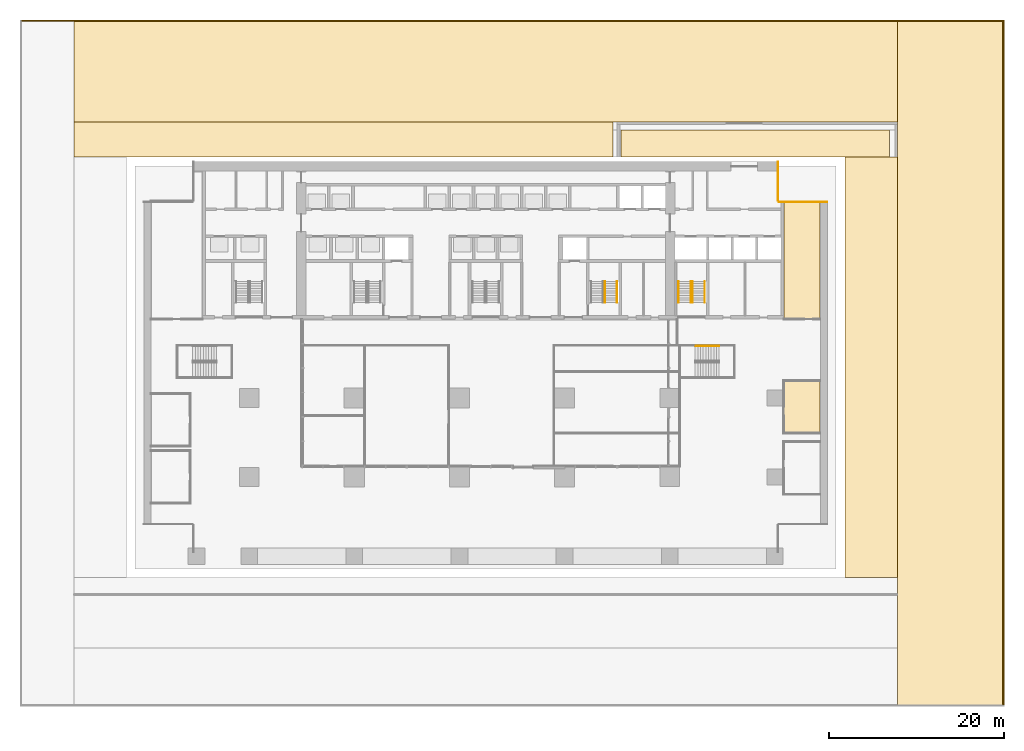
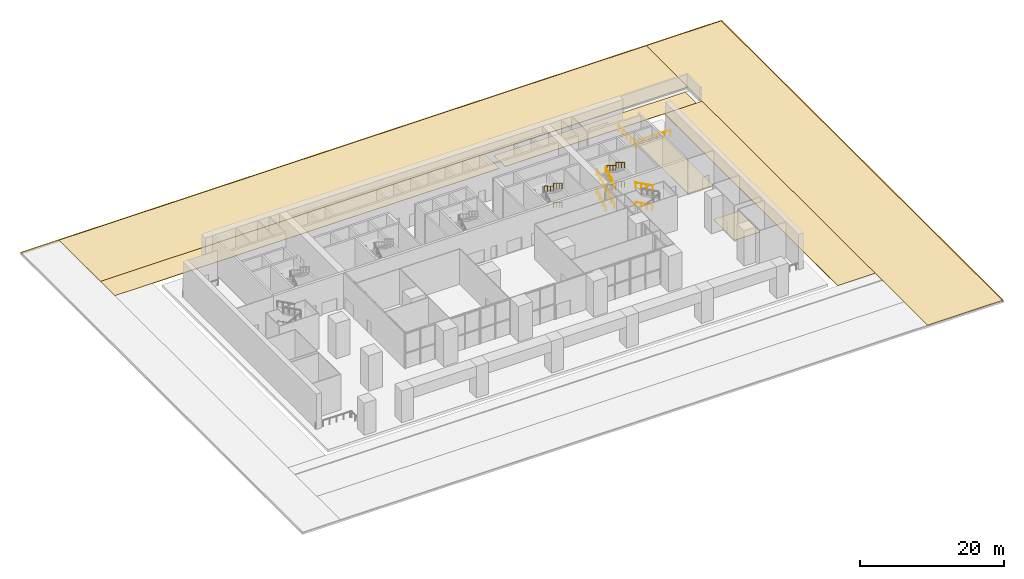
# One storey, part 15 of 16: 15 railings, 9 coverings, 3 elements without a shape of their own.
"""IFC4 building model written with IfcOpenShell, lengths in metres."""

from ifc_helpers import new_model, si_unit, direction, frame, origin, origin_2d, place, context, subcontext, project, spatial, polyline, circle, outline, extrude, material, layer, layer_set, type_object, element, aggregate, save


model = new_model("IFC4")

# Units and contexts
model_context = context("Model", 3, precision=1e-05, world=origin(), true_north=direction((0.0, 1.0)))
body_context = subcontext(model_context, "Body", "Model", "MODEL_VIEW")
ifc_project = project(units=[si_unit("LENGTHUNIT", "METRE"), si_unit("AREAUNIT", "SQUARE_METRE"), si_unit("VOLUMEUNIT", "CUBIC_METRE"), si_unit("PLANEANGLEUNIT", "RADIAN"), si_unit("MASSUNIT", "GRAM", prefix="KILO")], contexts=[model_context])

# Site, building, storey
site_placement = place(None, origin())
site = spatial("IfcSite", under=ifc_project, at=site_placement, CompositionType="ELEMENT")
building_placement = place(site_placement, origin())
building = spatial("IfcBuilding", under=site, at=building_placement, Name="Calvaro Tower", CompositionType="ELEMENT")
storey_placement = place(building_placement, origin())
storey = spatial("IfcBuildingStorey", under=building, at=storey_placement, Name="L00", CompositionType="ELEMENT", Elevation=0.0)

# Coverings
ifc_material_1 = material(Name="Concrete C40/50 precast", Category="concrete")
ifc_layer_1 = layer(ifc_material_1, 0.080078125)
ifc_layer_set_1 = layer_set([ifc_layer_1], Name="Concrete C40/50 precast")
covering_type_1 = type_object("IfcCoveringType", Name="Concrete block paving 80", PredefinedType="USERDEFINED", material=ifc_layer_set_1)
covering_1_placement = place(storey_placement, frame((0.0, 0.0, -0.080078125)))
element("IfcCovering", 1, at=covering_1_placement, inside=storey, type_object=covering_type_1, Name="Rear access paving", ObjectType="PAVING", PredefinedType="USERDEFINED", context=body_context, shape_type="SweptSolid", body=[
    extrude(outline(polyline([(-8.0, 46.5), (53.550048828125, 46.5), (53.550048828125, 50.5), (-8.0, 50.5), (-8.0, 46.5)])), origin(), (0.0, 0.0, 1.0), 0.080078125),
])
covering_2_placement = place(storey_placement, frame((0.0, 0.0, -0.080078125)))
element("IfcCovering", 2, at=covering_2_placement, inside=storey, type_object=covering_type_1, Name="Service yard paving", ObjectType="PAVING", PredefinedType="USERDEFINED", context=body_context, shape_type="SweptSolid", body=[
    extrude(outline(polyline([(54.449951171875, 46.5), (85.10009765625, 46.5), (85.10009765625, 49.60009765625), (54.449951171875, 49.60009765625), (54.449951171875, 46.5)])), origin(), (0.0, 0.0, 1.0), 0.080078125),
])
ifc_material_2 = material(Name="Cement screed with carpet tile finish")
ifc_layer_2 = layer(ifc_material_2, 0.050048828125)
ifc_layer_set_2 = layer_set([ifc_layer_2], Name="Cement screed with carpet tile finish")
covering_type_2 = type_object("IfcCoveringType", Name="Floor finish 50", PredefinedType="FLOORING", material=ifc_layer_set_2)
covering_3_placement = place(storey_placement, origin())
element("IfcCovering", 3, at=covering_3_placement, inside=storey, type_object=covering_type_2, Name="Floor finish 03.09", PredefinedType="FLOORING", context=body_context, shape_type="SweptSolid", body=[
    extrude(outline(polyline([(77.1298828125, 15.070068359375), (73.070068359375, 15.070068359375), (73.070068359375, 20.929931640625), (77.1298828125, 20.929931640625), (77.1298828125, 15.070068359375)])), origin(), (0.0, 0.0, 1.0), 0.050048828125),
])
covering_4_placement = place(storey_placement, origin())
element("IfcCovering", 4, at=covering_4_placement, inside=storey, type_object=covering_type_2, Name="Floor finish 03.16", PredefinedType="FLOORING", context=body_context, shape_type="SweptSolid", body=[
    extrude(outline(polyline([(73.070068359375, 28.070068359375), (73.070068359375, 41.429931640625), (77.1298828125, 41.429931640625), (77.1298828125, 28.070068359375), (73.070068359375, 28.070068359375)])), origin(), (0.0, 0.0, 1.0), 0.050048828125),
])
ifc_material_3 = material(Name="Granite", Category="masonry")
ifc_layer_3 = layer(ifc_material_3, 0.300048828125)
ifc_layer_set_3 = layer_set([ifc_layer_3], Name="Granite")
covering_type_3 = type_object("IfcCoveringType", Name="Granite edge course 150", PredefinedType="USERDEFINED", material=ifc_layer_set_3)
covering_5_placement = place(storey_placement, frame((0.0, 0.0, -0.300048828125)))
element("IfcCovering", 5, at=covering_5_placement, inside=storey, type_object=covering_type_3, Name="Granite edge course", ObjectType="PAVING", PredefinedType="USERDEFINED", context=body_context, shape_type="SweptSolid", body=[
    extrude(outline(polyline([(98.0, -16.0), (98.14990234375, -16.0), (98.14990234375, 62.14990234375), (98.0, 62.14990234375), (98.0, -16.0)])), origin(), (0.0, 0.0, 1.0), 0.300048828125),
])
covering_6_placement = place(storey_placement, frame((0.0, 0.0, -0.300048828125)))
element("IfcCovering", 6, at=covering_6_placement, inside=storey, type_object=covering_type_3, Name="Granite edge course", ObjectType="PAVING", PredefinedType="USERDEFINED", context=body_context, shape_type="SweptSolid", body=[
    extrude(outline(polyline([(-14.0, 62.0), (98.0, 62.0), (98.0, 62.14990234375), (-14.0, 62.14990234375), (-14.0, 62.0)])), origin(), (0.0, 0.0, 1.0), 0.300048828125),
])

# Railings
ifc_material_4 = material(Name="Stainless steel", Category="steel")
railing_type_1 = type_object("IfcRailingType", Name="Guard 1100", PredefinedType="GUARDRAIL", material=ifc_material_4)
railing_1_placement = place(storey_placement, frame((72.35009765625, 46.0, 0.0)))
element("IfcRailing", 7, at=railing_1_placement, inside=storey, type_object=railing_type_1, Name="Edge guard", PredefinedType="GUARDRAIL", context=body_context, shape_type="SweptSolid", body=[
    extrude(circle(Radius=0.02392578125, at=origin_2d()), frame((0.0, 0.0, 1.076171875), z_axis=(0.0, -1.0, 0.0), x_axis=(1.0, 0.0, 0.0)), (0.0, 0.0, 1.0), 4.5),
    extrude(circle(Radius=0.02099609375, at=origin_2d()), frame((0.0, -0.02099609375, 0.0)), (0.0, 0.0, 1.0), 1.052001953125),
    extrude(circle(Radius=0.02099609375, at=origin_2d()), frame((0.0, -1.125, 0.0)), (0.0, 0.0, 1.0), 1.052001953125),
    extrude(circle(Radius=0.02099609375, at=origin_2d()), frame((0.0, -2.25, 0.0)), (0.0, 0.0, 1.0), 1.052001953125),
    extrude(circle(Radius=0.02099609375, at=origin_2d()), frame((0.0, -3.375, 0.0)), (0.0, 0.0, 1.0), 1.052001953125),
    extrude(circle(Radius=0.02099609375, at=origin_2d()), frame((0.0, -4.47900390625, 0.0)), (0.0, 0.0, 1.0), 1.052001953125),
])
railing_2_placement = place(storey_placement, frame((72.449951171875, 41.39990234375, 0.0)))
element("IfcRailing", 8, at=railing_2_placement, inside=storey, type_object=railing_type_1, Name="Edge guard", PredefinedType="GUARDRAIL", context=body_context, shape_type="SweptSolid", body=[
    extrude(circle(Radius=0.02392578125, at=origin_2d()), frame((0.0, 0.0, 1.076171875), z_axis=(1.0, 0.0, 0.0), x_axis=(0.0, 1.0, 0.0)), (0.0, 0.0, 1.0), 5.550048828125),
    extrude(circle(Radius=0.02099609375, at=origin_2d()), frame((0.02099609375, 0.0, 0.0)), (0.0, 0.0, 1.0), 1.052001953125),
    extrude(circle(Radius=0.02099609375, at=origin_2d()), frame((1.110107421875, 0.0, 0.0)), (0.0, 0.0, 1.0), 1.052001953125),
    extrude(circle(Radius=0.02099609375, at=origin_2d()), frame((2.219970703125, 0.0, 0.0)), (0.0, 0.0, 1.0), 1.052001953125),
    extrude(circle(Radius=0.02099609375, at=origin_2d()), frame((3.330078125, 0.0, 0.0)), (0.0, 0.0, 1.0), 1.052001953125),
    extrude(circle(Radius=0.02099609375, at=origin_2d()), frame((4.43994140625, 0.0, 0.0)), (0.0, 0.0, 1.0), 1.052001953125),
    extrude(circle(Radius=0.02099609375, at=origin_2d()), frame((5.529052734375, 0.0, 0.0)), (0.0, 0.0, 1.0), 1.052001953125),
])

# Coverings
ifc_material_5 = material(Name="Concrete C40/50 precast", Category="concrete")
ifc_layer_4 = layer(ifc_material_5, 0.10009765625)
ifc_layer_set_4 = layer_set([ifc_layer_4], Name="Concrete C40/50 precast")
covering_type_4 = type_object("IfcCoveringType", Name="Precast concrete flag paving 100", PredefinedType="USERDEFINED", material=ifc_layer_set_4)
covering_7_placement = place(storey_placement, frame((0.0, 0.0, -0.10009765625)))
element("IfcCovering", 9, at=covering_7_placement, inside=storey, type_object=covering_type_4, Name="East lane paving", ObjectType="PAVING", PredefinedType="USERDEFINED", context=body_context, shape_type="SweptSolid", body=[
    extrude(outline(polyline([(80.0, -1.5), (86.0, -1.5), (86.0, 46.5), (80.0, 46.5), (80.0, -1.5)])), origin(), (0.0, 0.0, 1.0), 0.10009765625),
])
covering_8_placement = place(storey_placement, frame((0.0, 0.0, -0.10009765625)))
element("IfcCovering", 10, at=covering_8_placement, inside=storey, type_object=covering_type_4, Name="East apron paving", ObjectType="PAVING", PredefinedType="USERDEFINED", context=body_context, shape_type="SweptSolid", body=[
    extrude(outline(polyline([(86.0, -16.0), (98.0, -16.0), (98.0, 62.0), (86.0, 62.0), (86.0, -16.0)])), origin(), (0.0, 0.0, 1.0), 0.10009765625),
])
covering_9_placement = place(storey_placement, frame((0.0, 0.0, -0.10009765625)))
element("IfcCovering", 11, at=covering_9_placement, inside=storey, type_object=covering_type_4, Name="Rear apron paving", ObjectType="PAVING", PredefinedType="USERDEFINED", context=body_context, shape_type="SweptSolid", body=[
    extrude(outline(polyline([(-8.0, 50.5), (86.0, 50.5), (86.0, 62.0), (-8.0, 62.0), (-8.0, 50.5)])), origin(), (0.0, 0.0, 1.0), 0.10009765625),
])

# Stair, railings
ifc_material_6 = material(Name="Concrete C40/50", Category="concrete")
stair_type_1 = type_object("IfcStairType", Name="Exit stair 1400 4 flights", PredefinedType="DOUBLE_RETURN_STAIR", material=ifc_material_6)
stair_1_placement = place(storey_placement, origin())
stair_1 = element("IfcStair", 12, at=stair_1_placement, inside=storey, type_object=stair_type_1, Name="Exit stair S4", PredefinedType="DOUBLE_RETURN_STAIR")
ifc_material_7 = material(Name="Stainless steel", Category="steel")
railing_type_2 = type_object("IfcRailingType", Name="Stair handrail", PredefinedType="HANDRAIL", material=ifc_material_7)
railing_3_placement = place(storey_placement, frame((54.0, 32.330078125, 1.78759765625)))
railing_3 = element("IfcRailing", 13, at=railing_3_placement, type_object=railing_type_2, Name="Exit stair 4 handrail", PredefinedType="HANDRAIL", context=body_context, shape_type="SweptSolid", body=[
    extrude(circle(Radius=0.02392578125, at=origin_2d()), frame((0.0, 0.0, 0.8759765625), z_axis=(0.0, -0.856823829133, 0.515609276322), x_axis=(1.0, 0.0, 0.0)), (0.0, 0.0, 1.0), 2.836181640625),
    extrude(circle(Radius=0.02099609375, at=origin_2d()), frame((0.0, -0.01806640625, 0.0107421875)), (0.0, 0.0, 1.0), 0.851806640625),
    extrude(circle(Radius=0.02099609375, at=origin_2d()), frame((0.0, -0.81005859375, 0.487548828125)), (0.0, 0.0, 1.0), 0.851806640625),
    extrude(circle(Radius=0.02099609375, at=origin_2d()), frame((0.0, -1.6201171875, 0.974853515625)), (0.0, 0.0, 1.0), 0.851806640625),
    extrude(circle(Radius=0.02099609375, at=origin_2d()), frame((0.0, -2.412109375, 1.45166015625)), (0.0, 0.0, 1.0), 0.851806640625),
])
railing_4_placement = place(storey_placement, frame((52.60009765625, 32.330078125, 5.03759765625)))
railing_4 = element("IfcRailing", 14, at=railing_4_placement, type_object=railing_type_2, Name="Exit stair 4 handrail", PredefinedType="HANDRAIL", context=body_context, shape_type="SweptSolid", body=[
    extrude(circle(Radius=0.02392578125, at=origin_2d()), frame((0.0, 0.0, 0.8759765625), z_axis=(0.0, -0.856823829133, 0.515609276322), x_axis=(1.0, 0.0, 0.0)), (0.0, 0.0, 1.0), 2.836181640625),
    extrude(circle(Radius=0.02099609375, at=origin_2d()), frame((0.0, -0.01806640625, 0.0107421875)), (0.0, 0.0, 1.0), 0.851806640625),
    extrude(circle(Radius=0.02099609375, at=origin_2d()), frame((0.0, -0.81005859375, 0.487548828125)), (0.0, 0.0, 1.0), 0.851806640625),
    extrude(circle(Radius=0.02099609375, at=origin_2d()), frame((0.0, -1.6201171875, 0.974853515625)), (0.0, 0.0, 1.0), 0.851806640625),
    extrude(circle(Radius=0.02099609375, at=origin_2d()), frame((0.0, -2.412109375, 1.45166015625)), (0.0, 0.0, 1.0), 0.851806640625),
])
railing_5_placement = place(storey_placement, frame((54.0, 32.330078125, 5.03759765625)))
railing_5 = element("IfcRailing", 15, at=railing_5_placement, type_object=railing_type_2, Name="Exit stair 4 handrail", PredefinedType="HANDRAIL", context=body_context, shape_type="SweptSolid", body=[
    extrude(circle(Radius=0.02392578125, at=origin_2d()), frame((0.0, 0.0, 0.8759765625), z_axis=(0.0, -0.856823829133, 0.515609276322), x_axis=(1.0, 0.0, 0.0)), (0.0, 0.0, 1.0), 2.836181640625),
    extrude(circle(Radius=0.02099609375, at=origin_2d()), frame((0.0, -0.01806640625, 0.0107421875)), (0.0, 0.0, 1.0), 0.851806640625),
    extrude(circle(Radius=0.02099609375, at=origin_2d()), frame((0.0, -0.81005859375, 0.487548828125)), (0.0, 0.0, 1.0), 0.851806640625),
    extrude(circle(Radius=0.02099609375, at=origin_2d()), frame((0.0, -1.6201171875, 0.974853515625)), (0.0, 0.0, 1.0), 0.851806640625),
    extrude(circle(Radius=0.02099609375, at=origin_2d()), frame((0.0, -2.412109375, 1.45166015625)), (0.0, 0.0, 1.0), 0.851806640625),
])
aggregate(stair_1, [railing_3, railing_4, railing_5])

stair_2_placement = place(storey_placement, origin())
stair_2 = element("IfcStair", 16, at=stair_2_placement, inside=storey, type_object=stair_type_1, Name="Exit stair S5", PredefinedType="DOUBLE_RETURN_STAIR")
railing_6_placement = place(storey_placement, frame((62.39990234375, 29.89990234375, 0.16259765625)))
railing_6 = element("IfcRailing", 17, at=railing_6_placement, type_object=railing_type_2, Name="Exit stair 5 handrail", PredefinedType="HANDRAIL", context=body_context, shape_type="SweptSolid", body=[
    extrude(circle(Radius=0.02392578125, at=origin_2d()), frame((0.0, 0.0, 0.8759765625), z_axis=(0.0, 0.856823829133, 0.515609276322), x_axis=(-1.0, 0.0, 0.0)), (0.0, 0.0, 1.0), 2.836181640625),
    extrude(circle(Radius=0.02099609375, at=origin_2d()), frame((0.0, 0.01806640625, 0.0107421875)), (0.0, 0.0, 1.0), 0.851806640625),
    extrude(circle(Radius=0.02099609375, at=origin_2d()), frame((0.0, 0.81005859375, 0.487548828125)), (0.0, 0.0, 1.0), 0.851806640625),
    extrude(circle(Radius=0.02099609375, at=origin_2d()), frame((0.0, 1.6201171875, 0.974853515625)), (0.0, 0.0, 1.0), 0.851806640625),
    extrude(circle(Radius=0.02099609375, at=origin_2d()), frame((0.0, 2.412109375, 1.45166015625)), (0.0, 0.0, 1.0), 0.851806640625),
])
railing_7_placement = place(storey_placement, frame((61.0, 29.89990234375, 0.16259765625)))
railing_7 = element("IfcRailing", 18, at=railing_7_placement, type_object=railing_type_2, Name="Exit stair 5 handrail", PredefinedType="HANDRAIL", context=body_context, shape_type="SweptSolid", body=[
    extrude(circle(Radius=0.02392578125, at=origin_2d()), frame((0.0, 0.0, 0.8759765625), z_axis=(0.0, 0.856823829133, 0.515609276322), x_axis=(-1.0, 0.0, 0.0)), (0.0, 0.0, 1.0), 2.836181640625),
    extrude(circle(Radius=0.02099609375, at=origin_2d()), frame((0.0, 0.01806640625, 0.0107421875)), (0.0, 0.0, 1.0), 0.851806640625),
    extrude(circle(Radius=0.02099609375, at=origin_2d()), frame((0.0, 0.81005859375, 0.487548828125)), (0.0, 0.0, 1.0), 0.851806640625),
    extrude(circle(Radius=0.02099609375, at=origin_2d()), frame((0.0, 1.6201171875, 0.974853515625)), (0.0, 0.0, 1.0), 0.851806640625),
    extrude(circle(Radius=0.02099609375, at=origin_2d()), frame((0.0, 2.412109375, 1.45166015625)), (0.0, 0.0, 1.0), 0.851806640625),
])
railing_8_placement = place(storey_placement, frame((62.60009765625, 32.330078125, 1.78759765625)))
railing_8 = element("IfcRailing", 19, at=railing_8_placement, type_object=railing_type_2, Name="Exit stair 5 handrail", PredefinedType="HANDRAIL", context=body_context, shape_type="SweptSolid", body=[
    extrude(circle(Radius=0.02392578125, at=origin_2d()), frame((0.0, 0.0, 0.8759765625), z_axis=(0.0, -0.856823829133, 0.515609276322), x_axis=(1.0, 0.0, 0.0)), (0.0, 0.0, 1.0), 2.836181640625),
    extrude(circle(Radius=0.02099609375, at=origin_2d()), frame((0.0, -0.01806640625, 0.0107421875)), (0.0, 0.0, 1.0), 0.851806640625),
    extrude(circle(Radius=0.02099609375, at=origin_2d()), frame((0.0, -0.81005859375, 0.487548828125)), (0.0, 0.0, 1.0), 0.851806640625),
    extrude(circle(Radius=0.02099609375, at=origin_2d()), frame((0.0, -1.6201171875, 0.974853515625)), (0.0, 0.0, 1.0), 0.851806640625),
    extrude(circle(Radius=0.02099609375, at=origin_2d()), frame((0.0, -2.412109375, 1.45166015625)), (0.0, 0.0, 1.0), 0.851806640625),
])
railing_9_placement = place(storey_placement, frame((64.0, 32.330078125, 1.78759765625)))
railing_9 = element("IfcRailing", 20, at=railing_9_placement, type_object=railing_type_2, Name="Exit stair 5 handrail", PredefinedType="HANDRAIL", context=body_context, shape_type="SweptSolid", body=[
    extrude(circle(Radius=0.02392578125, at=origin_2d()), frame((0.0, 0.0, 0.8759765625), z_axis=(0.0, -0.856823829133, 0.515609276322), x_axis=(1.0, 0.0, 0.0)), (0.0, 0.0, 1.0), 2.836181640625),
    extrude(circle(Radius=0.02099609375, at=origin_2d()), frame((0.0, -0.01806640625, 0.0107421875)), (0.0, 0.0, 1.0), 0.851806640625),
    extrude(circle(Radius=0.02099609375, at=origin_2d()), frame((0.0, -0.81005859375, 0.487548828125)), (0.0, 0.0, 1.0), 0.851806640625),
    extrude(circle(Radius=0.02099609375, at=origin_2d()), frame((0.0, -1.6201171875, 0.974853515625)), (0.0, 0.0, 1.0), 0.851806640625),
    extrude(circle(Radius=0.02099609375, at=origin_2d()), frame((0.0, -2.412109375, 1.45166015625)), (0.0, 0.0, 1.0), 0.851806640625),
])
railing_10_placement = place(storey_placement, frame((62.39990234375, 29.89990234375, 3.41259765625)))
railing_10 = element("IfcRailing", 21, at=railing_10_placement, type_object=railing_type_2, Name="Exit stair 5 handrail", PredefinedType="HANDRAIL", context=body_context, shape_type="SweptSolid", body=[
    extrude(circle(Radius=0.02392578125, at=origin_2d()), frame((0.0, 0.0, 0.8759765625), z_axis=(0.0, 0.856823829133, 0.515609276322), x_axis=(-1.0, 0.0, 0.0)), (0.0, 0.0, 1.0), 2.836181640625),
    extrude(circle(Radius=0.02099609375, at=origin_2d()), frame((0.0, 0.01806640625, 0.0107421875)), (0.0, 0.0, 1.0), 0.851806640625),
    extrude(circle(Radius=0.02099609375, at=origin_2d()), frame((0.0, 0.81005859375, 0.487548828125)), (0.0, 0.0, 1.0), 0.851806640625),
    extrude(circle(Radius=0.02099609375, at=origin_2d()), frame((0.0, 1.6201171875, 0.974853515625)), (0.0, 0.0, 1.0), 0.851806640625),
    extrude(circle(Radius=0.02099609375, at=origin_2d()), frame((0.0, 2.412109375, 1.45166015625)), (0.0, 0.0, 1.0), 0.851806640625),
])
railing_11_placement = place(storey_placement, frame((61.0, 29.89990234375, 3.41259765625)))
railing_11 = element("IfcRailing", 22, at=railing_11_placement, type_object=railing_type_2, Name="Exit stair 5 handrail", PredefinedType="HANDRAIL", context=body_context, shape_type="SweptSolid", body=[
    extrude(circle(Radius=0.02392578125, at=origin_2d()), frame((0.0, 0.0, 0.8759765625), z_axis=(0.0, 0.856823829133, 0.515609276322), x_axis=(-1.0, 0.0, 0.0)), (0.0, 0.0, 1.0), 2.836181640625),
    extrude(circle(Radius=0.02099609375, at=origin_2d()), frame((0.0, 0.01806640625, 0.0107421875)), (0.0, 0.0, 1.0), 0.851806640625),
    extrude(circle(Radius=0.02099609375, at=origin_2d()), frame((0.0, 0.81005859375, 0.487548828125)), (0.0, 0.0, 1.0), 0.851806640625),
    extrude(circle(Radius=0.02099609375, at=origin_2d()), frame((0.0, 1.6201171875, 0.974853515625)), (0.0, 0.0, 1.0), 0.851806640625),
    extrude(circle(Radius=0.02099609375, at=origin_2d()), frame((0.0, 2.412109375, 1.45166015625)), (0.0, 0.0, 1.0), 0.851806640625),
])
railing_12_placement = place(storey_placement, frame((62.60009765625, 32.330078125, 5.03759765625)))
railing_12 = element("IfcRailing", 23, at=railing_12_placement, type_object=railing_type_2, Name="Exit stair 5 handrail", PredefinedType="HANDRAIL", context=body_context, shape_type="SweptSolid", body=[
    extrude(circle(Radius=0.02392578125, at=origin_2d()), frame((0.0, 0.0, 0.8759765625), z_axis=(0.0, -0.856823829133, 0.515609276322), x_axis=(1.0, 0.0, 0.0)), (0.0, 0.0, 1.0), 2.836181640625),
    extrude(circle(Radius=0.02099609375, at=origin_2d()), frame((0.0, -0.01806640625, 0.0107421875)), (0.0, 0.0, 1.0), 0.851806640625),
    extrude(circle(Radius=0.02099609375, at=origin_2d()), frame((0.0, -0.81005859375, 0.487548828125)), (0.0, 0.0, 1.0), 0.851806640625),
    extrude(circle(Radius=0.02099609375, at=origin_2d()), frame((0.0, -1.6201171875, 0.974853515625)), (0.0, 0.0, 1.0), 0.851806640625),
    extrude(circle(Radius=0.02099609375, at=origin_2d()), frame((0.0, -2.412109375, 1.45166015625)), (0.0, 0.0, 1.0), 0.851806640625),
])
railing_13_placement = place(storey_placement, frame((64.0, 32.330078125, 5.03759765625)))
railing_13 = element("IfcRailing", 24, at=railing_13_placement, type_object=railing_type_2, Name="Exit stair 5 handrail", PredefinedType="HANDRAIL", context=body_context, shape_type="SweptSolid", body=[
    extrude(circle(Radius=0.02392578125, at=origin_2d()), frame((0.0, 0.0, 0.8759765625), z_axis=(0.0, -0.856823829133, 0.515609276322), x_axis=(1.0, 0.0, 0.0)), (0.0, 0.0, 1.0), 2.836181640625),
    extrude(circle(Radius=0.02099609375, at=origin_2d()), frame((0.0, -0.01806640625, 0.0107421875)), (0.0, 0.0, 1.0), 0.851806640625),
    extrude(circle(Radius=0.02099609375, at=origin_2d()), frame((0.0, -0.81005859375, 0.487548828125)), (0.0, 0.0, 1.0), 0.851806640625),
    extrude(circle(Radius=0.02099609375, at=origin_2d()), frame((0.0, -1.6201171875, 0.974853515625)), (0.0, 0.0, 1.0), 0.851806640625),
    extrude(circle(Radius=0.02099609375, at=origin_2d()), frame((0.0, -2.412109375, 1.45166015625)), (0.0, 0.0, 1.0), 0.851806640625),
])
aggregate(stair_2, [railing_6, railing_7, railing_8, railing_9, railing_10, railing_11, railing_12, railing_13])

ifc_material_8 = material(Name="Concrete C40/50", Category="concrete")
stair_type_2 = type_object("IfcStairType", Name="Exit stair 1700 4 flights", PredefinedType="DOUBLE_RETURN_STAIR", material=ifc_material_8)
stair_3_placement = place(storey_placement, origin())
stair_3 = element("IfcStair", 25, at=stair_3_placement, inside=storey, type_object=stair_type_2, Name="Exit stair 7", PredefinedType="DOUBLE_RETURN_STAIR")
railing_14_placement = place(storey_placement, frame((65.64501953125, 24.949951171875, 1.78759765625)))
railing_14 = element("IfcRailing", 26, at=railing_14_placement, type_object=railing_type_2, Name="Exit stair 7 handrail", PredefinedType="HANDRAIL", context=body_context, shape_type="SweptSolid", body=[
    extrude(circle(Radius=0.02392578125, at=origin_2d()), frame((0.0, 0.0, 0.8759765625), z_axis=(-0.882574470411, 0.0, 0.470172632316), x_axis=(0.0, -1.0, 0.0)), (0.0, 0.0, 1.0), 3.1103515625),
    extrude(circle(Radius=0.02099609375, at=origin_2d()), frame((-0.0185546875, 0.0, 0.009765625)), (0.0, 0.0, 1.0), 0.851806640625),
    extrude(circle(Radius=0.02099609375, at=origin_2d()), frame((-0.9150390625, 0.0, 0.487548828125)), (0.0, 0.0, 1.0), 0.851806640625),
    extrude(circle(Radius=0.02099609375, at=origin_2d()), frame((-1.830078125, 0.0, 0.974853515625)), (0.0, 0.0, 1.0), 0.851806640625),
    extrude(circle(Radius=0.02099609375, at=origin_2d()), frame((-2.7265625, 0.0, 1.45263671875)), (0.0, 0.0, 1.0), 0.851806640625),
])
railing_15_placement = place(storey_placement, frame((65.64501953125, 24.949951171875, 5.03759765625)))
railing_15 = element("IfcRailing", 27, at=railing_15_placement, type_object=railing_type_2, Name="Exit stair 7 handrail", PredefinedType="HANDRAIL", context=body_context, shape_type="SweptSolid", body=[
    extrude(circle(Radius=0.02392578125, at=origin_2d()), frame((0.0, 0.0, 0.8759765625), z_axis=(-0.882574470411, 0.0, 0.470172632316), x_axis=(0.0, -1.0, 0.0)), (0.0, 0.0, 1.0), 3.1103515625),
    extrude(circle(Radius=0.02099609375, at=origin_2d()), frame((-0.0185546875, 0.0, 0.009765625)), (0.0, 0.0, 1.0), 0.851806640625),
    extrude(circle(Radius=0.02099609375, at=origin_2d()), frame((-0.9150390625, 0.0, 0.487548828125)), (0.0, 0.0, 1.0), 0.851806640625),
    extrude(circle(Radius=0.02099609375, at=origin_2d()), frame((-1.830078125, 0.0, 0.974853515625)), (0.0, 0.0, 1.0), 0.851806640625),
    extrude(circle(Radius=0.02099609375, at=origin_2d()), frame((-2.7265625, 0.0, 1.45263671875)), (0.0, 0.0, 1.0), 0.851806640625),
])
aggregate(stair_3, [railing_14, railing_15])

save(model, "model.ifc")
